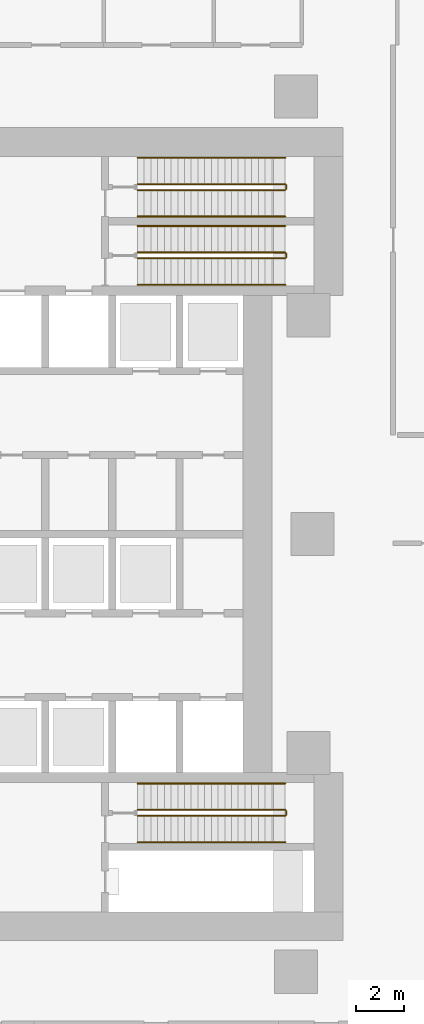
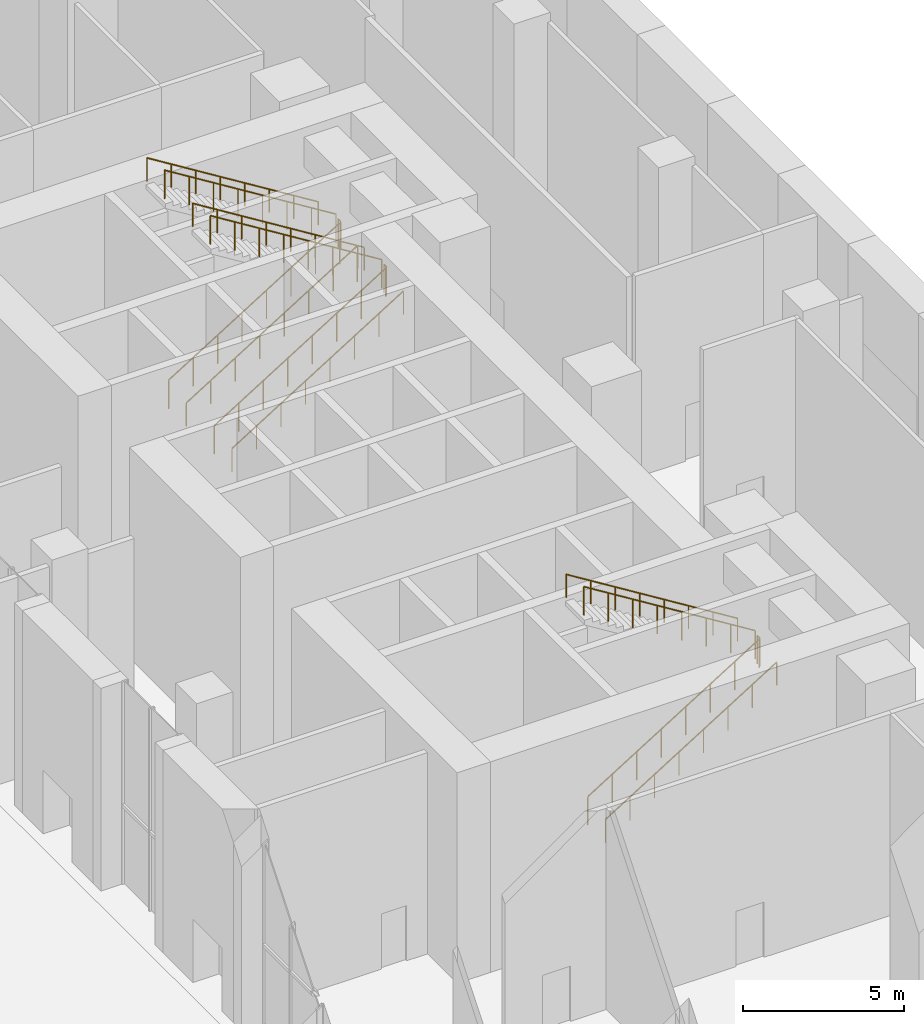
# One storey, part 19 of 22: 15 railings.
"""IFC4 building model written with IfcOpenShell, lengths in metres."""

from ifc_helpers import new_model, si_unit, direction, frame, origin, origin_2d, place, context, subcontext, project, spatial, circle, extrude, material, type_object, element, save


model = new_model("IFC4")

# Units and contexts
model_context = context("Model", 3, precision=1e-05, world=origin(), true_north=direction((0.0, 1.0)))
body_context = subcontext(model_context, "Body", "Model", "MODEL_VIEW")
ifc_project = project(units=[si_unit("LENGTHUNIT", "METRE"), si_unit("AREAUNIT", "SQUARE_METRE"), si_unit("VOLUMEUNIT", "CUBIC_METRE"), si_unit("PLANEANGLEUNIT", "RADIAN"), si_unit("MASSUNIT", "GRAM", prefix="KILO")], contexts=[model_context])

# Site, building, storey
site_placement = place(None, origin())
site = spatial("IfcSite", under=ifc_project, at=site_placement, CompositionType="ELEMENT")
building_placement = place(site_placement, origin())
building = spatial("IfcBuilding", under=site, at=building_placement, Name="Ostrand Prow Hotel Tower", CompositionType="ELEMENT")
storey_placement = place(building_placement, origin())
storey = spatial("IfcBuildingStorey", under=building, at=storey_placement, Name="L00", CompositionType="ELEMENT", Elevation=0.0)

# Railings
ifc_material_1 = material(Name="Painted steel", Category="steel")
railing_type_1 = type_object("IfcRailingType", Name="Stair guard 1100", PredefinedType="GUARDRAIL", material=ifc_material_1)
railing_1_placement = place(storey_placement, frame((57.199951171875, 11.5, 0.173828125)))
element("IfcRailing", 1, at=railing_1_placement, inside=storey, type_object=railing_type_1, Name="L00 ST1A stair guard 1", PredefinedType="GUARDRAIL", context=body_context, shape_type="SweptSolid", body=[
    extrude(circle(Radius=0.02392578125, at=origin_2d()), frame((0.0, 0.0, 1.076171875), z_axis=(0.849477832307, 0.0, 0.527624309921), x_axis=(0.0, 1.0, 0.0)), (0.0, 0.0, 1.0), 7.251708984375),
    extrude(circle(Radius=0.02099609375, at=origin_2d()), origin(), (0.0, 0.0, 1.0), 1.052001953125),
    extrude(circle(Radius=0.02099609375, at=origin_2d()), frame((0.880126953125, 0.0, 0.546630859375)), (0.0, 0.0, 1.0), 1.052001953125),
    extrude(circle(Radius=0.02099609375, at=origin_2d()), frame((1.760009765625, 0.0, 1.09326171875)), (0.0, 0.0, 1.0), 1.052001953125),
    extrude(circle(Radius=0.02099609375, at=origin_2d()), frame((2.64013671875, 0.0, 1.639892578125)), (0.0, 0.0, 1.0), 1.052001953125),
    extrude(circle(Radius=0.02099609375, at=origin_2d()), frame((3.52001953125, 0.0, 2.186279296875)), (0.0, 0.0, 1.0), 1.052001953125),
    extrude(circle(Radius=0.02099609375, at=origin_2d()), frame((4.400146484375, 0.0, 2.73291015625)), (0.0, 0.0, 1.0), 1.052001953125),
    extrude(circle(Radius=0.02099609375, at=origin_2d()), frame((5.280029296875, 0.0, 3.279541015625)), (0.0, 0.0, 1.0), 1.052001953125),
    extrude(circle(Radius=0.02099609375, at=origin_2d()), frame((6.16015625, 0.0, 3.826171875)), (0.0, 0.0, 1.0), 1.052001953125),
])
railing_2_placement = place(storey_placement, frame((63.409912109375, 11.550048828125, 4.0)))
element("IfcRailing", 2, at=railing_2_placement, inside=storey, type_object=railing_type_1, Name="L00 ST1A stair guard 2", PredefinedType="GUARDRAIL", context=body_context, shape_type="SweptSolid", body=[
    extrude(circle(Radius=0.02392578125, at=origin_2d()), frame((0.0, 0.0, 1.076171875), z_axis=(0.0, 1.0, 0.0), x_axis=(-1.0, 0.0, 0.0)), (0.0, 0.0, 1.0), 0.14990234375),
    extrude(circle(Radius=0.02099609375, at=origin_2d()), origin(), (0.0, 0.0, 1.0), 1.052001953125),
    extrude(circle(Radius=0.02099609375, at=origin_2d()), frame((0.0, 0.14990234375, 0.0)), (0.0, 0.0, 1.0), 1.052001953125),
])
railing_3_placement = place(storey_placement, frame((63.360107421875, 11.75, 4.173828125)))
element("IfcRailing", 3, at=railing_3_placement, inside=storey, type_object=railing_type_1, Name="L00 ST1A stair guard 3", PredefinedType="GUARDRAIL", context=body_context, shape_type="SweptSolid", body=[
    extrude(circle(Radius=0.02392578125, at=origin_2d()), frame((0.0, 0.0, 1.076171875), z_axis=(-0.849477832307, 0.0, 0.527624309921), x_axis=(0.0, -1.0, 0.0)), (0.0, 0.0, 1.0), 7.251708984375),
    extrude(circle(Radius=0.02099609375, at=origin_2d()), origin(), (0.0, 0.0, 1.0), 1.052001953125),
    extrude(circle(Radius=0.02099609375, at=origin_2d()), frame((-0.880126953125, 0.0, 0.546630859375)), (0.0, 0.0, 1.0), 1.052001953125),
    extrude(circle(Radius=0.02099609375, at=origin_2d()), frame((-1.760009765625, 0.0, 1.09326171875)), (0.0, 0.0, 1.0), 1.052001953125),
    extrude(circle(Radius=0.02099609375, at=origin_2d()), frame((-2.64013671875, 0.0, 1.639892578125)), (0.0, 0.0, 1.0), 1.052001953125),
    extrude(circle(Radius=0.02099609375, at=origin_2d()), frame((-3.52001953125, 0.0, 2.186279296875)), (0.0, 0.0, 1.0), 1.052001953125),
    extrude(circle(Radius=0.02099609375, at=origin_2d()), frame((-4.400146484375, 0.0, 2.73291015625)), (0.0, 0.0, 1.0), 1.052001953125),
    extrude(circle(Radius=0.02099609375, at=origin_2d()), frame((-5.280029296875, 0.0, 3.279541015625)), (0.0, 0.0, 1.0), 1.052001953125),
    extrude(circle(Radius=0.02099609375, at=origin_2d()), frame((-6.16015625, 0.0, 3.826171875)), (0.0, 0.0, 1.0), 1.052001953125),
])
railing_4_placement = place(storey_placement, frame((57.199951171875, 14.35009765625, 0.173828125)))
element("IfcRailing", 4, at=railing_4_placement, inside=storey, type_object=railing_type_1, Name="L00 ST3A stair guard 1", PredefinedType="GUARDRAIL", context=body_context, shape_type="SweptSolid", body=[
    extrude(circle(Radius=0.02392578125, at=origin_2d()), frame((0.0, 0.0, 1.076171875), z_axis=(0.849477832307, 0.0, 0.527624309921), x_axis=(0.0, 1.0, 0.0)), (0.0, 0.0, 1.0), 7.251708984375),
    extrude(circle(Radius=0.02099609375, at=origin_2d()), origin(), (0.0, 0.0, 1.0), 1.052001953125),
    extrude(circle(Radius=0.02099609375, at=origin_2d()), frame((0.880126953125, 0.0, 0.546630859375)), (0.0, 0.0, 1.0), 1.052001953125),
    extrude(circle(Radius=0.02099609375, at=origin_2d()), frame((1.760009765625, 0.0, 1.09326171875)), (0.0, 0.0, 1.0), 1.052001953125),
    extrude(circle(Radius=0.02099609375, at=origin_2d()), frame((2.64013671875, 0.0, 1.639892578125)), (0.0, 0.0, 1.0), 1.052001953125),
    extrude(circle(Radius=0.02099609375, at=origin_2d()), frame((3.52001953125, 0.0, 2.186279296875)), (0.0, 0.0, 1.0), 1.052001953125),
    extrude(circle(Radius=0.02099609375, at=origin_2d()), frame((4.400146484375, 0.0, 2.73291015625)), (0.0, 0.0, 1.0), 1.052001953125),
    extrude(circle(Radius=0.02099609375, at=origin_2d()), frame((5.280029296875, 0.0, 3.279541015625)), (0.0, 0.0, 1.0), 1.052001953125),
    extrude(circle(Radius=0.02099609375, at=origin_2d()), frame((6.16015625, 0.0, 3.826171875)), (0.0, 0.0, 1.0), 1.052001953125),
])
railing_5_placement = place(storey_placement, frame((63.409912109375, 14.39990234375, 4.0)))
element("IfcRailing", 5, at=railing_5_placement, inside=storey, type_object=railing_type_1, Name="L00 ST3A stair guard 2", PredefinedType="GUARDRAIL", context=body_context, shape_type="SweptSolid", body=[
    extrude(circle(Radius=0.02392578125, at=origin_2d()), frame((0.0, 0.0, 1.076171875), z_axis=(0.0, 1.0, 0.0), x_axis=(-1.0, 0.0, 0.0)), (0.0, 0.0, 1.0), 0.150146484375),
    extrude(circle(Radius=0.02099609375, at=origin_2d()), origin(), (0.0, 0.0, 1.0), 1.052001953125),
    extrude(circle(Radius=0.02099609375, at=origin_2d()), frame((0.0, 0.150146484375, 0.0)), (0.0, 0.0, 1.0), 1.052001953125),
])
railing_6_placement = place(storey_placement, frame((63.360107421875, 14.60009765625, 4.173828125)))
element("IfcRailing", 6, at=railing_6_placement, inside=storey, type_object=railing_type_1, Name="L00 ST3A stair guard 3", PredefinedType="GUARDRAIL", context=body_context, shape_type="SweptSolid", body=[
    extrude(circle(Radius=0.02392578125, at=origin_2d()), frame((0.0, 0.0, 1.076171875), z_axis=(-0.849477832307, 0.0, 0.527624309921), x_axis=(0.0, -1.0, 0.0)), (0.0, 0.0, 1.0), 7.251708984375),
    extrude(circle(Radius=0.02099609375, at=origin_2d()), origin(), (0.0, 0.0, 1.0), 1.052001953125),
    extrude(circle(Radius=0.02099609375, at=origin_2d()), frame((-0.880126953125, 0.0, 0.546630859375)), (0.0, 0.0, 1.0), 1.052001953125),
    extrude(circle(Radius=0.02099609375, at=origin_2d()), frame((-1.760009765625, 0.0, 1.09326171875)), (0.0, 0.0, 1.0), 1.052001953125),
    extrude(circle(Radius=0.02099609375, at=origin_2d()), frame((-2.64013671875, 0.0, 1.639892578125)), (0.0, 0.0, 1.0), 1.052001953125),
    extrude(circle(Radius=0.02099609375, at=origin_2d()), frame((-3.52001953125, 0.0, 2.186279296875)), (0.0, 0.0, 1.0), 1.052001953125),
    extrude(circle(Radius=0.02099609375, at=origin_2d()), frame((-4.400146484375, 0.0, 2.73291015625)), (0.0, 0.0, 1.0), 1.052001953125),
    extrude(circle(Radius=0.02099609375, at=origin_2d()), frame((-5.280029296875, 0.0, 3.279541015625)), (0.0, 0.0, 1.0), 1.052001953125),
    extrude(circle(Radius=0.02099609375, at=origin_2d()), frame((-6.16015625, 0.0, 3.826171875)), (0.0, 0.0, 1.0), 1.052001953125),
])
railing_7_placement = place(storey_placement, frame((57.199951171875, -11.75, 0.173828125)))
element("IfcRailing", 7, at=railing_7_placement, inside=storey, type_object=railing_type_1, Name="L00 ST2A stair guard 1", PredefinedType="GUARDRAIL", context=body_context, shape_type="SweptSolid", body=[
    extrude(circle(Radius=0.02392578125, at=origin_2d()), frame((0.0, 0.0, 1.076171875), z_axis=(0.849477832307, 0.0, 0.527624309921), x_axis=(0.0, 1.0, 0.0)), (0.0, 0.0, 1.0), 7.251708984375),
    extrude(circle(Radius=0.02099609375, at=origin_2d()), origin(), (0.0, 0.0, 1.0), 1.052001953125),
    extrude(circle(Radius=0.02099609375, at=origin_2d()), frame((0.880126953125, 0.0, 0.546630859375)), (0.0, 0.0, 1.0), 1.052001953125),
    extrude(circle(Radius=0.02099609375, at=origin_2d()), frame((1.760009765625, 0.0, 1.09326171875)), (0.0, 0.0, 1.0), 1.052001953125),
    extrude(circle(Radius=0.02099609375, at=origin_2d()), frame((2.64013671875, 0.0, 1.639892578125)), (0.0, 0.0, 1.0), 1.052001953125),
    extrude(circle(Radius=0.02099609375, at=origin_2d()), frame((3.52001953125, 0.0, 2.186279296875)), (0.0, 0.0, 1.0), 1.052001953125),
    extrude(circle(Radius=0.02099609375, at=origin_2d()), frame((4.400146484375, 0.0, 2.73291015625)), (0.0, 0.0, 1.0), 1.052001953125),
    extrude(circle(Radius=0.02099609375, at=origin_2d()), frame((5.280029296875, 0.0, 3.279541015625)), (0.0, 0.0, 1.0), 1.052001953125),
    extrude(circle(Radius=0.02099609375, at=origin_2d()), frame((6.16015625, 0.0, 3.826171875)), (0.0, 0.0, 1.0), 1.052001953125),
])
railing_8_placement = place(storey_placement, frame((63.409912109375, -11.699951171875, 4.0)))
element("IfcRailing", 8, at=railing_8_placement, inside=storey, type_object=railing_type_1, Name="L00 ST2A stair guard 2", PredefinedType="GUARDRAIL", context=body_context, shape_type="SweptSolid", body=[
    extrude(circle(Radius=0.02392578125, at=origin_2d()), frame((0.0, 0.0, 1.076171875), z_axis=(0.0, 1.0, 0.0), x_axis=(-1.0, 0.0, 0.0)), (0.0, 0.0, 1.0), 0.14990234375),
    extrude(circle(Radius=0.02099609375, at=origin_2d()), origin(), (0.0, 0.0, 1.0), 1.052001953125),
    extrude(circle(Radius=0.02099609375, at=origin_2d()), frame((0.0, 0.14990234375, 0.0)), (0.0, 0.0, 1.0), 1.052001953125),
])
railing_9_placement = place(storey_placement, frame((63.360107421875, -11.5, 4.173828125)))
element("IfcRailing", 9, at=railing_9_placement, inside=storey, type_object=railing_type_1, Name="L00 ST2A stair guard 3", PredefinedType="GUARDRAIL", context=body_context, shape_type="SweptSolid", body=[
    extrude(circle(Radius=0.02392578125, at=origin_2d()), frame((0.0, 0.0, 1.076171875), z_axis=(-0.849477832307, 0.0, 0.527624309921), x_axis=(0.0, -1.0, 0.0)), (0.0, 0.0, 1.0), 7.251708984375),
    extrude(circle(Radius=0.02099609375, at=origin_2d()), origin(), (0.0, 0.0, 1.0), 1.052001953125),
    extrude(circle(Radius=0.02099609375, at=origin_2d()), frame((-0.880126953125, 0.0, 0.546630859375)), (0.0, 0.0, 1.0), 1.052001953125),
    extrude(circle(Radius=0.02099609375, at=origin_2d()), frame((-1.760009765625, 0.0, 1.09326171875)), (0.0, 0.0, 1.0), 1.052001953125),
    extrude(circle(Radius=0.02099609375, at=origin_2d()), frame((-2.64013671875, 0.0, 1.639892578125)), (0.0, 0.0, 1.0), 1.052001953125),
    extrude(circle(Radius=0.02099609375, at=origin_2d()), frame((-3.52001953125, 0.0, 2.186279296875)), (0.0, 0.0, 1.0), 1.052001953125),
    extrude(circle(Radius=0.02099609375, at=origin_2d()), frame((-4.400146484375, 0.0, 2.73291015625)), (0.0, 0.0, 1.0), 1.052001953125),
    extrude(circle(Radius=0.02099609375, at=origin_2d()), frame((-5.280029296875, 0.0, 3.279541015625)), (0.0, 0.0, 1.0), 1.052001953125),
    extrude(circle(Radius=0.02099609375, at=origin_2d()), frame((-6.16015625, 0.0, 3.826171875)), (0.0, 0.0, 1.0), 1.052001953125),
])
ifc_material_2 = material(Name="Stainless steel", Category="steel")
railing_type_2 = type_object("IfcRailingType", Name="Stair handrail 900", PredefinedType="HANDRAIL", material=ifc_material_2)
railing_10_placement = place(storey_placement, frame((57.199951171875, 10.39990234375, 0.173828125)))
element("IfcRailing", 10, at=railing_10_placement, inside=storey, type_object=railing_type_2, Name="L00 ST1A stair handrail 1", PredefinedType="HANDRAIL", context=body_context, shape_type="SweptSolid", body=[
    extrude(circle(Radius=0.02392578125, at=origin_2d()), frame((0.0, 0.0, 0.8759765625), z_axis=(0.849477832307, 0.0, 0.527624309921), x_axis=(0.0, 1.0, 0.0)), (0.0, 0.0, 1.0), 7.251708984375),
    extrude(circle(Radius=0.02099609375, at=origin_2d()), origin(), (0.0, 0.0, 1.0), 0.851806640625),
    extrude(circle(Radius=0.02099609375, at=origin_2d()), frame((0.880126953125, 0.0, 0.546630859375)), (0.0, 0.0, 1.0), 0.851806640625),
    extrude(circle(Radius=0.02099609375, at=origin_2d()), frame((1.760009765625, 0.0, 1.09326171875)), (0.0, 0.0, 1.0), 0.851806640625),
    extrude(circle(Radius=0.02099609375, at=origin_2d()), frame((2.64013671875, 0.0, 1.639892578125)), (0.0, 0.0, 1.0), 0.851806640625),
    extrude(circle(Radius=0.02099609375, at=origin_2d()), frame((3.52001953125, 0.0, 2.186279296875)), (0.0, 0.0, 1.0), 0.851806640625),
    extrude(circle(Radius=0.02099609375, at=origin_2d()), frame((4.400146484375, 0.0, 2.73291015625)), (0.0, 0.0, 1.0), 0.851806640625),
    extrude(circle(Radius=0.02099609375, at=origin_2d()), frame((5.280029296875, 0.0, 3.279541015625)), (0.0, 0.0, 1.0), 0.851806640625),
    extrude(circle(Radius=0.02099609375, at=origin_2d()), frame((6.16015625, 0.0, 3.826171875)), (0.0, 0.0, 1.0), 0.851806640625),
])
railing_11_placement = place(storey_placement, frame((63.360107421875, 12.85009765625, 4.173828125)))
element("IfcRailing", 11, at=railing_11_placement, inside=storey, type_object=railing_type_2, Name="L00 ST1A stair handrail 2", PredefinedType="HANDRAIL", context=body_context, shape_type="SweptSolid", body=[
    extrude(circle(Radius=0.02392578125, at=origin_2d()), frame((0.0, 0.0, 0.8759765625), z_axis=(-0.849477832307, 0.0, 0.527624309921), x_axis=(0.0, -1.0, 0.0)), (0.0, 0.0, 1.0), 7.251708984375),
    extrude(circle(Radius=0.02099609375, at=origin_2d()), origin(), (0.0, 0.0, 1.0), 0.851806640625),
    extrude(circle(Radius=0.02099609375, at=origin_2d()), frame((-0.880126953125, 0.0, 0.546630859375)), (0.0, 0.0, 1.0), 0.851806640625),
    extrude(circle(Radius=0.02099609375, at=origin_2d()), frame((-1.760009765625, 0.0, 1.09326171875)), (0.0, 0.0, 1.0), 0.851806640625),
    extrude(circle(Radius=0.02099609375, at=origin_2d()), frame((-2.64013671875, 0.0, 1.639892578125)), (0.0, 0.0, 1.0), 0.851806640625),
    extrude(circle(Radius=0.02099609375, at=origin_2d()), frame((-3.52001953125, 0.0, 2.186279296875)), (0.0, 0.0, 1.0), 0.851806640625),
    extrude(circle(Radius=0.02099609375, at=origin_2d()), frame((-4.400146484375, 0.0, 2.73291015625)), (0.0, 0.0, 1.0), 0.851806640625),
    extrude(circle(Radius=0.02099609375, at=origin_2d()), frame((-5.280029296875, 0.0, 3.279541015625)), (0.0, 0.0, 1.0), 0.851806640625),
    extrude(circle(Radius=0.02099609375, at=origin_2d()), frame((-6.16015625, 0.0, 3.826171875)), (0.0, 0.0, 1.0), 0.851806640625),
])
railing_12_placement = place(storey_placement, frame((57.199951171875, 13.25, 0.173828125)))
element("IfcRailing", 12, at=railing_12_placement, inside=storey, type_object=railing_type_2, Name="L00 ST3A stair handrail 1", PredefinedType="HANDRAIL", context=body_context, shape_type="SweptSolid", body=[
    extrude(circle(Radius=0.02392578125, at=origin_2d()), frame((0.0, 0.0, 0.8759765625), z_axis=(0.849477832307, 0.0, 0.527624309921), x_axis=(0.0, 1.0, 0.0)), (0.0, 0.0, 1.0), 7.251708984375),
    extrude(circle(Radius=0.02099609375, at=origin_2d()), origin(), (0.0, 0.0, 1.0), 0.851806640625),
    extrude(circle(Radius=0.02099609375, at=origin_2d()), frame((0.880126953125, 0.0, 0.546630859375)), (0.0, 0.0, 1.0), 0.851806640625),
    extrude(circle(Radius=0.02099609375, at=origin_2d()), frame((1.760009765625, 0.0, 1.09326171875)), (0.0, 0.0, 1.0), 0.851806640625),
    extrude(circle(Radius=0.02099609375, at=origin_2d()), frame((2.64013671875, 0.0, 1.639892578125)), (0.0, 0.0, 1.0), 0.851806640625),
    extrude(circle(Radius=0.02099609375, at=origin_2d()), frame((3.52001953125, 0.0, 2.186279296875)), (0.0, 0.0, 1.0), 0.851806640625),
    extrude(circle(Radius=0.02099609375, at=origin_2d()), frame((4.400146484375, 0.0, 2.73291015625)), (0.0, 0.0, 1.0), 0.851806640625),
    extrude(circle(Radius=0.02099609375, at=origin_2d()), frame((5.280029296875, 0.0, 3.279541015625)), (0.0, 0.0, 1.0), 0.851806640625),
    extrude(circle(Radius=0.02099609375, at=origin_2d()), frame((6.16015625, 0.0, 3.826171875)), (0.0, 0.0, 1.0), 0.851806640625),
])
railing_13_placement = place(storey_placement, frame((63.360107421875, 15.699951171875, 4.173828125)))
element("IfcRailing", 13, at=railing_13_placement, inside=storey, type_object=railing_type_2, Name="L00 ST3A stair handrail 2", PredefinedType="HANDRAIL", context=body_context, shape_type="SweptSolid", body=[
    extrude(circle(Radius=0.02392578125, at=origin_2d()), frame((0.0, 0.0, 0.8759765625), z_axis=(-0.849477832307, 0.0, 0.527624309921), x_axis=(0.0, -1.0, 0.0)), (0.0, 0.0, 1.0), 7.251708984375),
    extrude(circle(Radius=0.02099609375, at=origin_2d()), origin(), (0.0, 0.0, 1.0), 0.851806640625),
    extrude(circle(Radius=0.02099609375, at=origin_2d()), frame((-0.880126953125, 0.0, 0.546630859375)), (0.0, 0.0, 1.0), 0.851806640625),
    extrude(circle(Radius=0.02099609375, at=origin_2d()), frame((-1.760009765625, 0.0, 1.09326171875)), (0.0, 0.0, 1.0), 0.851806640625),
    extrude(circle(Radius=0.02099609375, at=origin_2d()), frame((-2.64013671875, 0.0, 1.639892578125)), (0.0, 0.0, 1.0), 0.851806640625),
    extrude(circle(Radius=0.02099609375, at=origin_2d()), frame((-3.52001953125, 0.0, 2.186279296875)), (0.0, 0.0, 1.0), 0.851806640625),
    extrude(circle(Radius=0.02099609375, at=origin_2d()), frame((-4.400146484375, 0.0, 2.73291015625)), (0.0, 0.0, 1.0), 0.851806640625),
    extrude(circle(Radius=0.02099609375, at=origin_2d()), frame((-5.280029296875, 0.0, 3.279541015625)), (0.0, 0.0, 1.0), 0.851806640625),
    extrude(circle(Radius=0.02099609375, at=origin_2d()), frame((-6.16015625, 0.0, 3.826171875)), (0.0, 0.0, 1.0), 0.851806640625),
])
railing_14_placement = place(storey_placement, frame((57.199951171875, -12.85009765625, 0.173828125)))
element("IfcRailing", 14, at=railing_14_placement, inside=storey, type_object=railing_type_2, Name="L00 ST2A stair handrail 1", PredefinedType="HANDRAIL", context=body_context, shape_type="SweptSolid", body=[
    extrude(circle(Radius=0.02392578125, at=origin_2d()), frame((0.0, 0.0, 0.8759765625), z_axis=(0.849477832307, 0.0, 0.527624309921), x_axis=(0.0, 1.0, 0.0)), (0.0, 0.0, 1.0), 7.251708984375),
    extrude(circle(Radius=0.02099609375, at=origin_2d()), origin(), (0.0, 0.0, 1.0), 0.851806640625),
    extrude(circle(Radius=0.02099609375, at=origin_2d()), frame((0.880126953125, 0.0, 0.546630859375)), (0.0, 0.0, 1.0), 0.851806640625),
    extrude(circle(Radius=0.02099609375, at=origin_2d()), frame((1.760009765625, 0.0, 1.09326171875)), (0.0, 0.0, 1.0), 0.851806640625),
    extrude(circle(Radius=0.02099609375, at=origin_2d()), frame((2.64013671875, 0.0, 1.639892578125)), (0.0, 0.0, 1.0), 0.851806640625),
    extrude(circle(Radius=0.02099609375, at=origin_2d()), frame((3.52001953125, 0.0, 2.186279296875)), (0.0, 0.0, 1.0), 0.851806640625),
    extrude(circle(Radius=0.02099609375, at=origin_2d()), frame((4.400146484375, 0.0, 2.73291015625)), (0.0, 0.0, 1.0), 0.851806640625),
    extrude(circle(Radius=0.02099609375, at=origin_2d()), frame((5.280029296875, 0.0, 3.279541015625)), (0.0, 0.0, 1.0), 0.851806640625),
    extrude(circle(Radius=0.02099609375, at=origin_2d()), frame((6.16015625, 0.0, 3.826171875)), (0.0, 0.0, 1.0), 0.851806640625),
])
railing_15_placement = place(storey_placement, frame((63.360107421875, -10.39990234375, 4.173828125)))
element("IfcRailing", 15, at=railing_15_placement, inside=storey, type_object=railing_type_2, Name="L00 ST2A stair handrail 2", PredefinedType="HANDRAIL", context=body_context, shape_type="SweptSolid", body=[
    extrude(circle(Radius=0.02392578125, at=origin_2d()), frame((0.0, 0.0, 0.8759765625), z_axis=(-0.849477832307, 0.0, 0.527624309921), x_axis=(0.0, -1.0, 0.0)), (0.0, 0.0, 1.0), 7.251708984375),
    extrude(circle(Radius=0.02099609375, at=origin_2d()), origin(), (0.0, 0.0, 1.0), 0.851806640625),
    extrude(circle(Radius=0.02099609375, at=origin_2d()), frame((-0.880126953125, 0.0, 0.546630859375)), (0.0, 0.0, 1.0), 0.851806640625),
    extrude(circle(Radius=0.02099609375, at=origin_2d()), frame((-1.760009765625, 0.0, 1.09326171875)), (0.0, 0.0, 1.0), 0.851806640625),
    extrude(circle(Radius=0.02099609375, at=origin_2d()), frame((-2.64013671875, 0.0, 1.639892578125)), (0.0, 0.0, 1.0), 0.851806640625),
    extrude(circle(Radius=0.02099609375, at=origin_2d()), frame((-3.52001953125, 0.0, 2.186279296875)), (0.0, 0.0, 1.0), 0.851806640625),
    extrude(circle(Radius=0.02099609375, at=origin_2d()), frame((-4.400146484375, 0.0, 2.73291015625)), (0.0, 0.0, 1.0), 0.851806640625),
    extrude(circle(Radius=0.02099609375, at=origin_2d()), frame((-5.280029296875, 0.0, 3.279541015625)), (0.0, 0.0, 1.0), 0.851806640625),
    extrude(circle(Radius=0.02099609375, at=origin_2d()), frame((-6.16015625, 0.0, 3.826171875)), (0.0, 0.0, 1.0), 0.851806640625),
])

save(model, "model.ifc")
